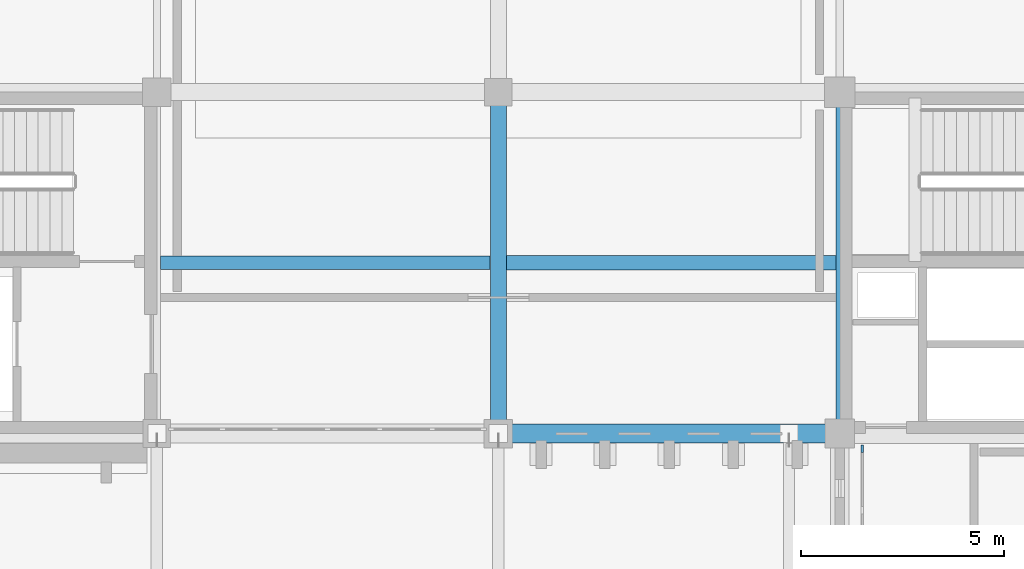
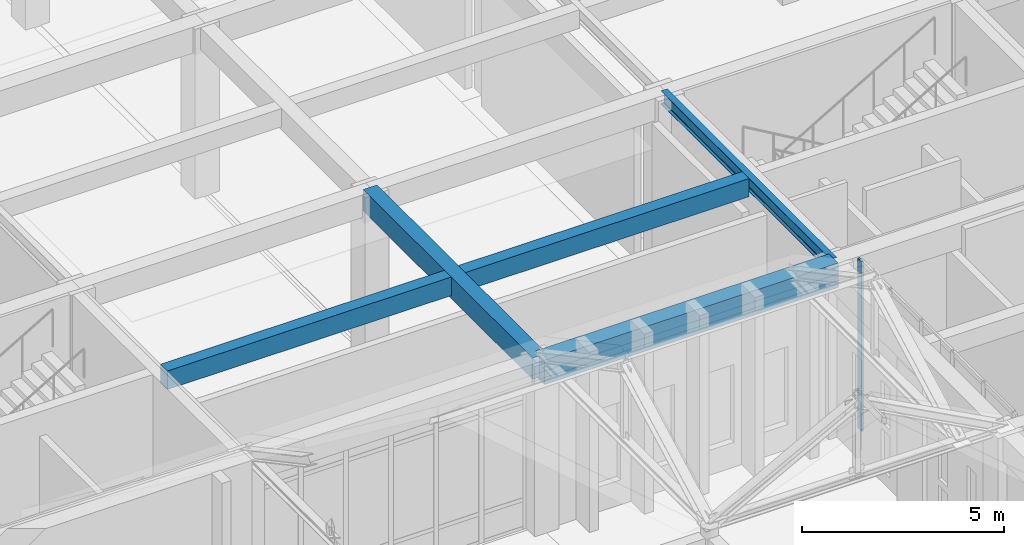
# One storey, part 66 of 143: 5 beams, 1 member, 1 element without a shape of its own.
"""IFC4 building model written with IfcOpenShell, lengths in metres."""

import ifcopenshell
import ifcopenshell.guid

model = None  # the IFC model being written
_history = None  # IfcOwnerHistory: only IFC2X3 demands one
_inside = {}  # id of a spatial element -> (the spatial element, [elements in it])
_under = {}  # id of a project, library or spatial element -> (it, [spatial elements below it])
_declared = {}  # id of a project -> (the project, [libraries it declares])
_typed = {}  # id of a type object -> (the type object, [elements of that type])
_made_of = {}  # id of a material, layer set ... -> (it, [elements and type objects made of it])


def new_model(schema):
    """Start an empty IFC model of exactly this schema.

    Asked for "IFC4X3", IfcOpenShell would pick the latest addendum, in which some entities
    have other attributes; the version numbers below select the first issue.
    IFC2X3 requires an IfcOwnerHistory on every rooted entity: one is made here for all.
    """
    global model, _history
    if schema == "IFC4X3":
        model = ifcopenshell.file(schema_version=(4, 3, 0, 0))
    else:
        model = ifcopenshell.file(schema=schema)
    _inside.clear()
    _under.clear()
    _declared.clear()
    _typed.clear()
    _made_of.clear()
    _history = None
    if model.schema == "IFC2X3":
        org = make("IfcOrganization", Name="unknown")
        user = make(
            "IfcPersonAndOrganization",
            ThePerson=make("IfcPerson", FamilyName="unknown"),
            TheOrganization=org,
        )
        app = make(
            "IfcApplication",
            ApplicationDeveloper=org,
            Version="unknown",
            ApplicationFullName="unknown",
            ApplicationIdentifier="unknown",
        )
        _history = make(
            "IfcOwnerHistory",
            OwningUser=user,
            OwningApplication=app,
            ChangeAction="ADDED",
            CreationDate=0,
        )
    return model


def make(cls, **values):
    """One entity of the class cls with the attributes given. An attribute that is None is left unset."""
    return model.create_entity(
        cls, **{name: value for name, value in values.items() if value is not None}
    )


def rooted(cls, **values):
    """An entity with a GlobalId (a new one), such as an element, a storey or a relation."""
    return make(cls, GlobalId=ifcopenshell.guid.new(), OwnerHistory=_history, **values)


def si_unit(unit_type, name, prefix=None):
    """IfcSIUnit, for example si_unit("LENGTHUNIT", "METRE", prefix="MILLI")."""
    return make("IfcSIUnit", UnitType=unit_type, Prefix=prefix, Name=name)


def assignment(units):
    """IfcUnitAssignment: the units of a project."""
    return None if units is None else make("IfcUnitAssignment", Units=units)


def point(xyz):
    """IfcCartesianPoint."""
    return None if xyz is None else make("IfcCartesianPoint", Coordinates=xyz)


def direction(xyz):
    """IfcDirection."""
    return None if xyz is None else make("IfcDirection", DirectionRatios=xyz)


def frame(location, z_axis=None, x_axis=None):
    """IfcAxis2Placement3D, a coordinate frame: its origin and axes. An axis left out is left unset."""
    return make(
        "IfcAxis2Placement3D",
        Location=point(location),
        Axis=direction(z_axis),
        RefDirection=direction(x_axis),
    )


def frame_2d(location, x_axis=None):
    """IfcAxis2Placement2D, a coordinate frame in the plane: its origin and x axis."""
    return make(
        "IfcAxis2Placement2D", Location=point(location), RefDirection=direction(x_axis)
    )


def origin():
    """The frame at (0, 0, 0) with its axes left unset."""
    return frame((0.0, 0.0, 0.0))


def origin_2d():
    """The frame at (0, 0) in the plane with its x axis left unset."""
    return frame_2d((0.0, 0.0))


def place(relative_to, where):
    """IfcLocalPlacement: puts the frame where relative to a parent placement (None: the world)."""
    return make(
        "IfcLocalPlacement", PlacementRelTo=relative_to, RelativePlacement=where
    )


def context(
    kind, dimensions, precision=None, world=None, true_north=None, identifier=None
):
    """IfcGeometricRepresentationContext, for example the 3D "Model" context."""
    return make(
        "IfcGeometricRepresentationContext",
        ContextIdentifier=identifier,
        ContextType=kind,
        CoordinateSpaceDimension=dimensions,
        Precision=precision,
        WorldCoordinateSystem=world,
        TrueNorth=true_north,
    )


def subcontext(parent, identifier, kind, view, scale=None):
    """IfcGeometricRepresentationSubContext, for example "Body" below "Model"."""
    return make(
        "IfcGeometricRepresentationSubContext",
        ContextIdentifier=identifier,
        ContextType=kind,
        ParentContext=parent,
        TargetScale=scale,
        TargetView=view,
    )


def project(units=None, contexts=None):
    """IfcProject with its units and contexts."""
    return rooted(
        "IfcProject",
        Name="project",
        RepresentationContexts=contexts,
        UnitsInContext=assignment(units),
    )


def spatial(cls, under=None, at=None, **own):
    """A site, building, storey or space (cls), placed at a placement, below another one or the project."""
    s = rooted(cls, ObjectPlacement=at, **own)
    if under is not None:
        _under.setdefault(under.id(), (under, []))[1].append(s)
    return s


def profile(cls, at=None, kind="AREA", **sizes):
    """A parametric profile (cls). Its sizes go by their IFC names, for example OverallWidth=200.0."""
    return make(cls, ProfileType=kind, Position=at, **sizes)


def rectangle(**sizes):
    """IfcRectangleProfileDef."""
    return profile("IfcRectangleProfileDef", **sizes)


def i_section(**sizes):
    """IfcIShapeProfileDef."""
    return profile("IfcIShapeProfileDef", **sizes)


def extrude(swept, where, along, depth):
    """IfcExtrudedAreaSolid: the profile swept, set in the frame where, extruded along a direction by depth."""
    return make(
        "IfcExtrudedAreaSolid",
        SweptArea=swept,
        Position=where,
        ExtrudedDirection=direction(along),
        Depth=depth,
    )


def shape(context_of_items, identifier, shape_type, items):
    """IfcShapeRepresentation: the items that make up one representation, for example the "Body"."""
    return make(
        "IfcShapeRepresentation",
        ContextOfItems=context_of_items,
        RepresentationIdentifier=identifier,
        RepresentationType=shape_type,
        Items=items,
    )


def material(Name=None, Category=None):
    """IfcMaterial."""
    return make("IfcMaterial", Name=Name, Category=Category)


def layer(
    of_material, thickness, ventilated=None, Name=None, Category=None, Priority=None
):
    """IfcMaterialLayer: one layer of a wall or slab, of a material (None: an air gap)."""
    return make(
        "IfcMaterialLayer",
        Material=of_material,
        LayerThickness=thickness,
        IsVentilated=ventilated,
        Name=Name,
        Category=Category,
        Priority=Priority,
    )


def layer_set(layers, Name=None):
    """IfcMaterialLayerSet."""
    return make("IfcMaterialLayerSet", MaterialLayers=layers, LayerSetName=Name)


def material_profile(
    of_material, cross_section, Name=None, Category=None, Priority=None
):
    """IfcMaterialProfile: a cross section and its material."""
    return make(
        "IfcMaterialProfile",
        Name=Name,
        Material=of_material,
        Profile=cross_section,
        Priority=Priority,
        Category=Category,
    )


def profile_set(profiles, Name=None, composite=None):
    """IfcMaterialProfileSet."""
    return make(
        "IfcMaterialProfileSet",
        Name=Name,
        MaterialProfiles=profiles,
        CompositeProfile=composite,
    )


def made_of(thing, what):
    """Note that an element or type object is made of a material, layer set ...; save() writes the relation."""
    if what is not None:
        _made_of.setdefault(what.id(), (what, []))[1].append(thing)
    return thing


def type_object(cls, material=None, **own):
    """A type object (cls), such as IfcWallType, which elements share."""
    return made_of(rooted(cls, **own), material)


def element(
    cls,
    number,
    at=None,
    inside=None,
    cuts=None,
    type_object=None,
    material=None,
    context=None,
    identifier="Body",
    shape_type=None,
    held_by="IfcProductDefinitionShape",
    body=None,
    shapes=None,
    **own,
):
    """One element of the class cls, such as IfcWall. Its Tag is "e" and its number.

    at: its placement. inside: the storey or other place that contains it. cuts: it is an
    opening in that element (IfcRelVoidsElement). A single representation is given by context,
    identifier, shape_type and body (its items); several are given by shapes. held_by: the class
    of the entity that holds the representations. save() writes the other relations.
    """
    e = rooted(cls, Tag="e%d" % number, ObjectPlacement=at, **own)
    if body is not None:
        shapes = [shape(context, identifier, shape_type, body)]
    if shapes is not None:
        e.Representation = make(held_by, Representations=shapes)
    if inside is not None:
        _inside.setdefault(inside.id(), (inside, []))[1].append(e)
    if cuts is not None:
        rooted(
            "IfcRelVoidsElement", RelatingBuildingElement=cuts, RelatedOpeningElement=e
        )
    if type_object is not None:
        _typed.setdefault(type_object.id(), (type_object, []))[1].append(e)
    return made_of(e, material)


def aggregate(whole, parts):
    """IfcRelAggregates: a whole, such as a stair, and the parts it consists of."""
    return rooted("IfcRelAggregates", RelatingObject=whole, RelatedObjects=parts)


def save(model, path):
    """Write the relations noted so far, then the file.

    IfcRelAggregates (storeys below a building ...), IfcRelContainedInSpatialStructure (elements
    in a storey), IfcRelDefinesByType, IfcRelAssociatesMaterial and IfcRelDeclares: one each for
    every whole, place, type object, material and project.
    """
    for whole, parts in _under.values():
        aggregate(whole, parts)
    for where, things in _inside.values():
        rooted(
            "IfcRelContainedInSpatialStructure",
            RelatedElements=things,
            RelatingStructure=where,
        )
    for kind, things in _typed.values():
        rooted("IfcRelDefinesByType", RelatedObjects=things, RelatingType=kind)
    for what, things in _made_of.values():
        rooted("IfcRelAssociatesMaterial", RelatedObjects=things, RelatingMaterial=what)
    for by, libraries in _declared.values():
        rooted("IfcRelDeclares", RelatingContext=by, RelatedDefinitions=libraries)
    model.write(path)


model = new_model("IFC4")

# Units and contexts
model_context = context("Model", 3, precision=1e-05, world=origin(), true_north=direction((0.0, 1.0)))
body_context = subcontext(model_context, "Body", "Model", "MODEL_VIEW")
ifc_project = project(units=[si_unit("LENGTHUNIT", "METRE"), si_unit("AREAUNIT", "SQUARE_METRE"), si_unit("VOLUMEUNIT", "CUBIC_METRE"), si_unit("PLANEANGLEUNIT", "RADIAN"), si_unit("MASSUNIT", "GRAM", prefix="KILO")], contexts=[model_context])

# Site, building, storey
site_placement = place(None, origin())
site = spatial("IfcSite", under=ifc_project, at=site_placement, CompositionType="ELEMENT")
building_placement = place(site_placement, origin())
building = spatial("IfcBuilding", under=site, at=building_placement, Name="Kveldsbrygga Polytechnic", CompositionType="ELEMENT")
storey_placement = place(building_placement, origin())
storey = spatial("IfcBuildingStorey", under=building, at=storey_placement, Name="L00", CompositionType="ELEMENT", Elevation=0.0)

# Beams
ifc_material_1 = material(Name="Concrete C35/45", Category="concrete")
ifc_material_profile_1 = material_profile(ifc_material_1, rectangle(XDim=0.39990234375, YDim=0.64990234375, at=origin_2d()), Name="RC 400x650")
ifc_profile_set_1 = profile_set([ifc_material_profile_1], Name="Concrete C35/45")
beam_type_1 = type_object("IfcBeamType", Name="BM-RC-400x650", PredefinedType="BEAM", material=ifc_profile_set_1)
beam_1_placement = place(storey_placement, frame((117.60009765625, 84.0, 4.81494140625), z_axis=(0.0, 1.0, 0.0), x_axis=(-1.0, 0.0, 0.0)))
element("IfcBeam", 1, at=beam_1_placement, inside=storey, type_object=beam_type_1, Name="Primary Beam BMY-L00-14-10to11", PredefinedType="BEAM", context=body_context, shape_type="SweptSolid", body=[
    extrude(rectangle(XDim=0.39990234375, YDim=0.64990234375, at=origin_2d()), origin(), (0.0, 0.0, 1.0), 8.39990234375),
])
ifc_material_profile_2 = material_profile(ifc_material_1, rectangle(XDim=0.4599609375, YDim=0.739990234375, at=origin_2d()), Name="RC 460x740")
ifc_profile_set_2 = profile_set([ifc_material_profile_2], Name="Concrete C35/45")
beam_type_2 = type_object("IfcBeamType", Name="BM-RC-460x740", PredefinedType="BEAM", material=ifc_profile_set_2)
beam_2_placement = place(storey_placement, frame((117.60009765625, 84.0, 4.77001953125), z_axis=(1.0, 0.0, 0.0), x_axis=(0.0, 1.0, 0.0)))
element("IfcBeam", 2, at=beam_2_placement, inside=storey, type_object=beam_type_2, Name="Primary Beam BMX-L00-14to15-10", PredefinedType="BEAM", context=body_context, shape_type="SweptSolid", body=[
    extrude(rectangle(XDim=0.4599609375, YDim=0.739990234375, at=origin_2d()), origin(), (0.0, 0.0, 1.0), 8.39990234375),
])
ifc_material_2 = material(Name="Steel S355", Category="steel")
ifc_material_profile_3 = material_profile(ifc_material_2, i_section(OverallWidth=0.179931640625, OverallDepth=0.39990234375, WebThickness=0.008544921875, FlangeThickness=0.013427734375, FilletRadius=0.02099609375, at=origin_2d()), Name="IPE 400")
ifc_profile_set_3 = profile_set([ifc_material_profile_3], Name="Steel S355")
beam_type_3 = type_object("IfcBeamType", Name="BM-STL-IPE400", PredefinedType="BEAM", material=ifc_profile_set_3)
beam_3_placement = place(storey_placement, frame((126.0, 84.0, 4.93994140625), z_axis=(0.0, 1.0, 0.0), x_axis=(-1.0, 0.0, 0.0)))
element("IfcBeam", 3, at=beam_3_placement, inside=storey, type_object=beam_type_3, Name="Primary Beam BMY-L00-15-10to11", PredefinedType="BEAM", context=body_context, shape_type="SweptSolid", body=[
    extrude(i_section(OverallWidth=0.179931640625, OverallDepth=0.39990234375, WebThickness=0.008544921875, FlangeThickness=0.013427734375, FilletRadius=0.02099609375, at=origin_2d()), origin(), (0.0, 0.0, 1.0), 8.39990234375),
])

# Curtain wall, member
ifc_material_3 = material(Name="Anodised aluminium AW-6060", Category="aluminium")
ifc_layer = layer(ifc_material_3, 0.199951171875)
ifc_layer_set = layer_set([ifc_layer], Name="Anodised aluminium AW-6060")
curtain_wall_type = type_object("IfcCurtainWallType", Name="CW-CONC-B", PredefinedType="USERDEFINED", material=ifc_layer_set)
curtain_wall_placement = place(storey_placement, origin())
curtain_wall = element("IfcCurtainWall", 4, at=curtain_wall_placement, inside=storey, type_object=curtain_wall_type, Name="Curtain Wall CW-L00-Y-15-09", ObjectType="UNITISED CURTAIN WALL", PredefinedType="USERDEFINED")
ifc_material_profile_4 = material_profile(ifc_material_3, rectangle(XDim=0.06005859375, YDim=0.179931640625, at=origin_2d()), Name="ALU 60x180")
ifc_profile_set_4 = profile_set([ifc_material_profile_4], Name="Anodised aluminium AW-6060")
member_type = type_object("IfcMemberType", Name="CW-MUL-180", PredefinedType="MULLION", material=ifc_profile_set_4)
member_placement = place(storey_placement, frame((126.550048828125, 83.625, 0.0), z_axis=(0.0, 0.0, 1.0), x_axis=(-1.0, 0.0, 0.0)))
member = element("IfcMember", 5, at=member_placement, type_object=member_type, Name="CW-02 mullion 6", PredefinedType="MULLION", context=body_context, shape_type="SweptSolid", body=[
    extrude(rectangle(XDim=0.06005859375, YDim=0.179931640625, at=origin_2d()), origin(), (0.0, 0.0, 1.0), 5.139892578125),
])
aggregate(curtain_wall, [member])

# Beams
ifc_material_profile_5 = material_profile(ifc_material_1, rectangle(XDim=0.340087890625, YDim=0.56005859375, at=origin_2d()), Name="RC 340x560")
ifc_profile_set_5 = profile_set([ifc_material_profile_5], Name="Concrete C35/45")
beam_type_4 = type_object("IfcBeamType", Name="JST-RC-340x560", PredefinedType="JOIST", material=ifc_profile_set_5)
beam_4_placement = place(storey_placement, frame((109.2900390625, 88.199951171875, 4.860107421875), z_axis=(1.0, 0.0, 0.0), x_axis=(0.0, 1.0, 0.0)))
element("IfcBeam", 6, at=beam_4_placement, inside=storey, type_object=beam_type_4, Name="Secondary Joist JST-L00-13-10", PredefinedType="JOIST", context=body_context, shape_type="SweptSolid", body=[
    extrude(rectangle(XDim=0.340087890625, YDim=0.56005859375, at=origin_2d()), origin(), (0.0, 0.0, 1.0), 8.10986328125),
])
ifc_material_profile_6 = material_profile(ifc_material_1, rectangle(XDim=0.35009765625, YDim=0.550048828125, at=origin_2d()), Name="RC 350x550")
ifc_profile_set_6 = profile_set([ifc_material_profile_6], Name="Concrete C35/45")
beam_type_5 = type_object("IfcBeamType", Name="JST-RC-350x550", PredefinedType="JOIST", material=ifc_profile_set_6)
beam_5_placement = place(storey_placement, frame((117.800048828125, 88.199951171875, 4.864990234375), z_axis=(1.0, 0.0, 0.0), x_axis=(0.0, 1.0, 0.0)))
element("IfcBeam", 7, at=beam_5_placement, inside=storey, type_object=beam_type_5, Name="Secondary Joist JST-L00-14-10", PredefinedType="JOIST", context=body_context, shape_type="SweptSolid", body=[
    extrude(rectangle(XDim=0.35009765625, YDim=0.550048828125, at=origin_2d()), origin(), (0.0, 0.0, 1.0), 8.10986328125),
])

save(model, "model.ifc")
